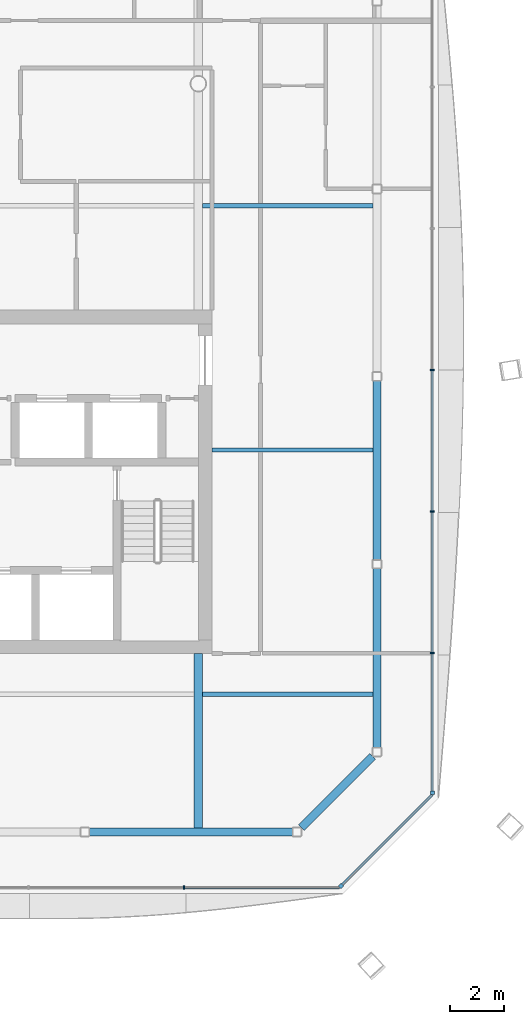
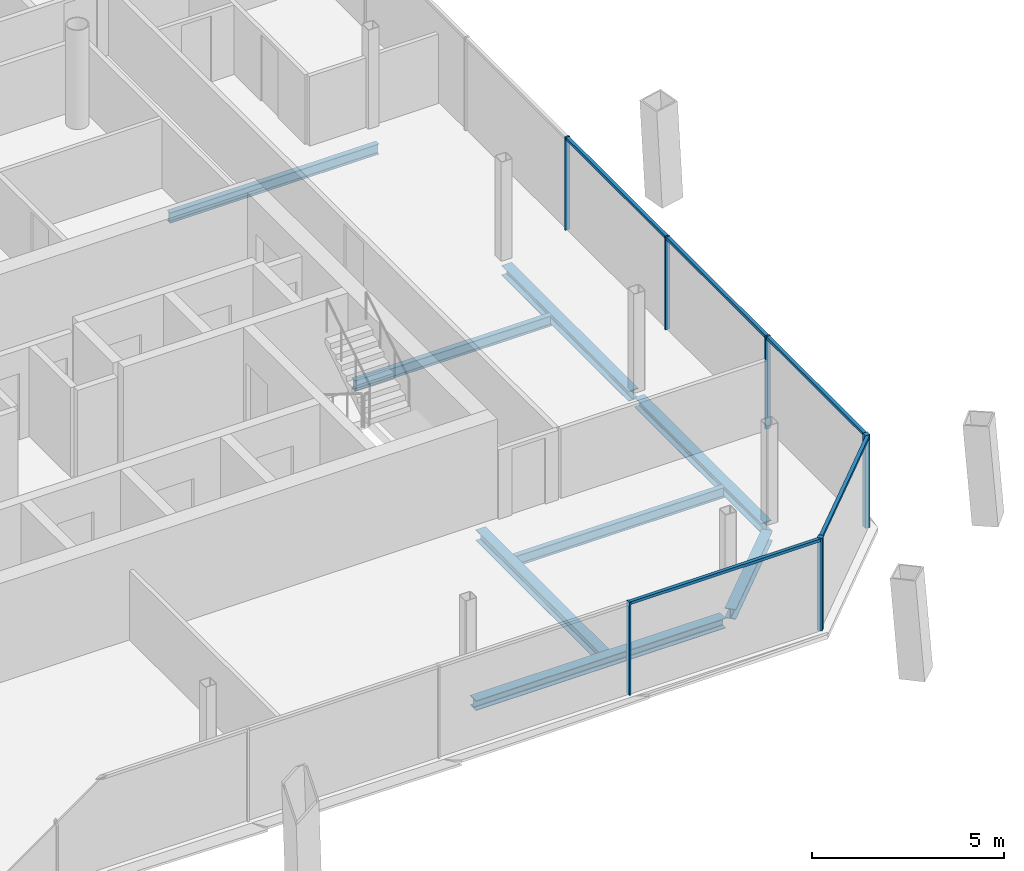
# One storey, part 8 of 20: 11 members, 8 beams, 3 elements without a shape of their own.
"""IFC4 building model written with IfcOpenShell, lengths in metres."""

from ifc_helpers import new_model, si_unit, direction, frame, origin, origin_2d, place, context, subcontext, project, spatial, rectangle, i_section, extrude, material, material_profile, profile_set, type_object, element, aggregate, save


model = new_model("IFC4")

# Units and contexts
model_context = context("Model", 3, precision=1e-05, world=origin(), true_north=direction((0.0, 1.0)))
body_context = subcontext(model_context, "Body", "Model", "MODEL_VIEW")
ifc_project = project(units=[si_unit("LENGTHUNIT", "METRE"), si_unit("AREAUNIT", "SQUARE_METRE"), si_unit("VOLUMEUNIT", "CUBIC_METRE"), si_unit("PLANEANGLEUNIT", "RADIAN"), si_unit("MASSUNIT", "GRAM", prefix="KILO")], contexts=[model_context])

# Site, building, storey
site_placement = place(None, origin())
site = spatial("IfcSite", under=ifc_project, at=site_placement, CompositionType="ELEMENT")
building_placement = place(site_placement, origin())
building = spatial("IfcBuilding", under=site, at=building_placement, Name="Tskaro Facet Tower", CompositionType="ELEMENT")
storey_placement = place(building_placement, frame((0.0, 0.0, 184.800048828125)))
storey = spatial("IfcBuildingStorey", under=building, at=storey_placement, Name="L46", CompositionType="ELEMENT", Elevation=184.800048828125)

# Curtain wall, member
ifc_material_1 = material(Name="Bronze anodised aluminium 6063-T6", Category="aluminium")
curtain_wall_type = type_object("IfcCurtainWallType", Name="Bronze residence curtain wall (FW3)", PredefinedType="NOTDEFINED", material=ifc_material_1)
curtain_wall_1_placement = place(storey_placement, origin())
curtain_wall_1 = element("IfcCurtainWall", 1, at=curtain_wall_1_placement, inside=storey, type_object=curtain_wall_type, Name="FW3 south-east facet L46", PredefinedType="NOTDEFINED")
ifc_material_profile_1 = material_profile(ifc_material_1, rectangle(XDim=0.139892578125, YDim=0.139892578125, at=origin_2d()), Name="Corner post 140x140")
ifc_profile_set_1 = profile_set([ifc_material_profile_1], Name="Bronze anodised aluminium 6063-T6")
member_type_1 = type_object("IfcMemberType", Name="FW3 bronze corner post 140x140", PredefinedType="MULLION", material=ifc_profile_set_1)
member_1_placement = place(storey_placement, frame((14.258544921875, -20.57861328125, 0.0), z_axis=(0.0, 0.0, 1.0), x_axis=(0.707106781187, 0.707106781187, 0.0)))
member_1 = element("IfcMember", 2, at=member_1_placement, type_object=member_type_1, Name="FW3 south-east corner post", PredefinedType="MULLION", context=body_context, shape_type="SweptSolid", body=[
    extrude(rectangle(XDim=0.139892578125, YDim=0.139892578125, at=origin_2d()), origin(), (0.0, 0.0, 1.0), 2.949951171875),
])

curtain_wall_2_placement = place(storey_placement, origin())
curtain_wall_2 = element("IfcCurtainWall", 3, at=curtain_wall_2_placement, inside=storey, type_object=curtain_wall_type, Name="FW3 east facet L46", PredefinedType="NOTDEFINED")
member_2_placement = place(storey_placement, frame((17.6279296875, -17.138916015625, 0.0), z_axis=(0.0, 0.0, 1.0), x_axis=(0.0, 1.0, 0.0)))
member_2 = element("IfcMember", 4, at=member_2_placement, type_object=member_type_1, Name="FW3 east corner post", PredefinedType="MULLION", context=body_context, shape_type="SweptSolid", body=[
    extrude(rectangle(XDim=0.139892578125, YDim=0.139892578125, at=origin_2d()), origin(), (0.0, 0.0, 1.0), 2.949951171875),
])

curtain_wall_3_placement = place(storey_placement, origin())
curtain_wall_3 = element("IfcCurtainWall", 5, at=curtain_wall_3_placement, inside=storey, type_object=curtain_wall_type, Name="FW3 south facet L46", PredefinedType="NOTDEFINED")
ifc_material_profile_2 = material_profile(ifc_material_1, rectangle(XDim=0.050048828125, YDim=0.139892578125, at=origin_2d()), Name="Mullion 50x140")
ifc_profile_set_2 = profile_set([ifc_material_profile_2], Name="Bronze anodised aluminium 6063-T6")
member_type_2 = type_object("IfcMemberType", Name="FW3 bronze mullion 50x140", PredefinedType="MULLION", material=ifc_profile_set_2)
member_3_placement = place(storey_placement, frame((8.47265625, -20.6279296875, 0.0), z_axis=(0.0, 0.0, 1.0), x_axis=(1.0, 0.0, 0.0)))
member_3 = element("IfcMember", 6, at=member_3_placement, type_object=member_type_2, Name="FW3 south mullion 5", PredefinedType="MULLION", context=body_context, shape_type="SweptSolid", body=[
    extrude(rectangle(XDim=0.050048828125, YDim=0.139892578125, at=origin_2d()), origin(), (0.0, 0.0, 1.0), 2.949951171875),
])

# Member
member_4_placement = place(storey_placement, frame((17.6279296875, -11.99072265625, 0.0), z_axis=(0.0, 0.0, 1.0), x_axis=(0.0, 1.0, 0.0)))
member_4 = element("IfcMember", 7, at=member_4_placement, type_object=member_type_2, Name="FW3 east mullion 1", PredefinedType="MULLION", context=body_context, shape_type="SweptSolid", body=[
    extrude(rectangle(XDim=0.050048828125, YDim=0.139892578125, at=origin_2d()), origin(), (0.0, 0.0, 1.0), 2.949951171875),
])

member_5_placement = place(storey_placement, frame((17.6279296875, -6.772705078125, 0.0), z_axis=(0.0, 0.0, 1.0), x_axis=(0.0, 1.0, 0.0)))
member_5 = element("IfcMember", 8, at=member_5_placement, type_object=member_type_2, Name="FW3 east mullion 2", PredefinedType="MULLION", context=body_context, shape_type="SweptSolid", body=[
    extrude(rectangle(XDim=0.050048828125, YDim=0.139892578125, at=origin_2d()), origin(), (0.0, 0.0, 1.0), 2.949951171875),
])

member_6_placement = place(storey_placement, frame((17.6279296875, -1.554443359375, 0.0), z_axis=(0.0, 0.0, 1.0), x_axis=(0.0, 1.0, 0.0)))
member_6 = element("IfcMember", 9, at=member_6_placement, type_object=member_type_2, Name="FW3 east mullion 3", PredefinedType="MULLION", context=body_context, shape_type="SweptSolid", body=[
    extrude(rectangle(XDim=0.050048828125, YDim=0.139892578125, at=origin_2d()), origin(), (0.0, 0.0, 1.0), 2.949951171875),
])

ifc_material_profile_3 = material_profile(ifc_material_1, rectangle(XDim=0.10009765625, YDim=0.090087890625, at=origin_2d()), Name="Transom 100x90")
ifc_profile_set_3 = profile_set([ifc_material_profile_3], Name="Bronze anodised aluminium 6063-T6")
member_type_3 = type_object("IfcMemberType", Name="FW3 bronze transom 100x90", PredefinedType="USERDEFINED", material=ifc_profile_set_3)
member_7_placement = place(storey_placement, frame((8.49755859375, -20.6279296875, 2.905029296875), z_axis=(1.0, 0.0, 0.0), x_axis=(0.0, 1.0, 0.0)))
member_7 = element("IfcMember", 10, at=member_7_placement, type_object=member_type_3, Name="FW3 south transom 6.1", ObjectType="TRANSOM", PredefinedType="USERDEFINED", context=body_context, shape_type="SweptSolid", body=[
    extrude(rectangle(XDim=0.10009765625, YDim=0.090087890625, at=origin_2d()), origin(), (0.0, 0.0, 1.0), 5.71142578125),
])

aggregate(curtain_wall_3, [member_3, member_7])

member_8_placement = place(storey_placement, frame((14.30810546875, -20.529052734375, 2.905029296875), z_axis=(0.707080781268, 0.707132780149, 0.0), x_axis=(-0.707132780149, 0.707080781268, 0.0)))
member_8 = element("IfcMember", 11, at=member_8_placement, type_object=member_type_3, Name="FW3 south-east transom 1.1", ObjectType="TRANSOM", PredefinedType="USERDEFINED", context=body_context, shape_type="SweptSolid", body=[
    extrude(rectangle(XDim=0.10009765625, YDim=0.090087890625, at=origin_2d()), origin(), (0.0, 0.0, 1.0), 4.695068359375),
])

aggregate(curtain_wall_1, [member_1, member_8])

member_9_placement = place(storey_placement, frame((17.6279296875, -17.069091796875, 2.905029296875), z_axis=(0.0, 1.0, 0.0), x_axis=(-1.0, 0.0, 0.0)))
member_9 = element("IfcMember", 12, at=member_9_placement, type_object=member_type_3, Name="FW3 east transom 1.1", ObjectType="TRANSOM", PredefinedType="USERDEFINED", context=body_context, shape_type="SweptSolid", body=[
    extrude(rectangle(XDim=0.10009765625, YDim=0.090087890625, at=origin_2d()), origin(), (0.0, 0.0, 1.0), 5.05322265625),
])

member_10_placement = place(storey_placement, frame((17.6279296875, -11.9658203125, 2.905029296875), z_axis=(0.0, 1.0, 0.0), x_axis=(-1.0, 0.0, 0.0)))
member_10 = element("IfcMember", 13, at=member_10_placement, type_object=member_type_3, Name="FW3 east transom 2.1", ObjectType="TRANSOM", PredefinedType="USERDEFINED", context=body_context, shape_type="SweptSolid", body=[
    extrude(rectangle(XDim=0.10009765625, YDim=0.090087890625, at=origin_2d()), origin(), (0.0, 0.0, 1.0), 5.168212890625),
])

member_11_placement = place(storey_placement, frame((17.6279296875, -6.74755859375, 2.905029296875), z_axis=(0.0, 1.0, 0.0), x_axis=(-1.0, 0.0, 0.0)))
member_11 = element("IfcMember", 14, at=member_11_placement, type_object=member_type_3, Name="FW3 east transom 3.1", ObjectType="TRANSOM", PredefinedType="USERDEFINED", context=body_context, shape_type="SweptSolid", body=[
    extrude(rectangle(XDim=0.10009765625, YDim=0.090087890625, at=origin_2d()), origin(), (0.0, 0.0, 1.0), 5.16796875),
])

aggregate(curtain_wall_2, [member_2, member_4, member_5, member_6, member_9, member_10, member_11])

# Beams
ifc_material_2 = material(Name="Steel S355J2", Category="steel")
ifc_material_profile_4 = material_profile(ifc_material_2, i_section(OverallWidth=0.300048828125, OverallDepth=0.320068359375, WebThickness=0.011474609375, FlangeThickness=0.0205078125, FilletRadius=0.027099609375, at=origin_2d()), Name="HE 320 B")
ifc_profile_set_4 = profile_set([ifc_material_profile_4], Name="Steel S355J2")
beam_type_1 = type_object("IfcBeamType", Name="HE 320 B ring beam", PredefinedType="BEAM", material=ifc_profile_set_4)
beam_1_placement = place(storey_placement, frame((4.971923828125, -18.5830078125, -0.300048828125), z_axis=(1.0, 0.0, 0.0), x_axis=(0.0, 1.0, 0.0)))
element("IfcBeam", 15, at=beam_1_placement, inside=storey, type_object=beam_type_1, Name="HE 320 B EB4-4", PredefinedType="BEAM", context=body_context, shape_type="SweptSolid", body=[
    extrude(i_section(OverallWidth=0.300048828125, OverallDepth=0.320068359375, WebThickness=0.011474609375, FlangeThickness=0.0205078125, FilletRadius=0.027099609375, at=origin_2d()), origin(), (0.0, 0.0, 1.0), 7.506103515625),
])
beam_2_placement = place(storey_placement, frame((12.7939453125, -18.422119140625, -0.300048828125), z_axis=(0.707106781187, 0.707106781187, 0.0), x_axis=(-0.707106781187, 0.707106781187, 0.0)))
element("IfcBeam", 16, at=beam_2_placement, inside=storey, type_object=beam_type_1, Name="HE 320 B EB5-4", PredefinedType="BEAM", context=body_context, shape_type="SweptSolid", body=[
    extrude(i_section(OverallWidth=0.300048828125, OverallDepth=0.320068359375, WebThickness=0.011474609375, FlangeThickness=0.0205078125, FilletRadius=0.027099609375, at=origin_2d()), origin(), (0.0, 0.0, 1.0), 3.716796875),
])
for number, where, z_axis, x_axis, name in (
    (17, (15.5830078125, -15.47802734375, -0.300048828125), (0.0, 1.0, 0.0), (-1.0, 0.0, 0.0), "HE 320 B EB6-4"),
    (18, (15.5830078125, -8.55810546875, -0.300048828125), (0.0, 1.0, 0.0), (-1.0, 0.0, 0.0), "HE 320 B EB7-4"),
):
    element("IfcBeam", number, at=place(storey_placement, frame(where, z_axis=z_axis, x_axis=x_axis)), inside=storey, type_object=beam_type_1, Name=name, PredefinedType="BEAM", context=body_context, shape_type="SweptSolid", body=[
        extrude(i_section(OverallWidth=0.300048828125, OverallDepth=0.320068359375, WebThickness=0.011474609375, FlangeThickness=0.0205078125, FilletRadius=0.027099609375, at=origin_2d()), origin(), (0.0, 0.0, 1.0), 6.610107421875),
    ])
ifc_material_profile_5 = material_profile(ifc_material_2, i_section(OverallWidth=0.300048828125, OverallDepth=0.35009765625, WebThickness=0.010009765625, FlangeThickness=0.017578125, FilletRadius=0.027099609375, at=origin_2d()), Name="HE 360 A")
ifc_profile_set_5 = profile_set([ifc_material_profile_5], Name="Steel S355J2")
beam_type_2 = type_object("IfcBeamType", Name="HE 360 A girder", PredefinedType="BEAM", material=ifc_profile_set_5)
beam_3_placement = place(storey_placement, frame((9.0, -18.43310546875, -0.31494140625), z_axis=(0.0, 1.0, 0.0), x_axis=(-1.0, 0.0, 0.0)))
element("IfcBeam", 19, at=beam_3_placement, inside=storey, type_object=beam_type_2, Name="HE 360 A GB5-1-4", PredefinedType="BEAM", context=body_context, shape_type="SweptSolid", body=[
    extrude(i_section(OverallWidth=0.300048828125, OverallDepth=0.35009765625, WebThickness=0.010009765625, FlangeThickness=0.017578125, FilletRadius=0.027099609375, at=origin_2d()), origin(), (0.0, 0.0, 1.0), 6.43310546875),
])
ifc_material_profile_6 = material_profile(ifc_material_2, i_section(OverallWidth=0.159912109375, OverallDepth=0.330078125, WebThickness=0.007568359375, FlangeThickness=0.011474609375, FilletRadius=0.01806640625, at=origin_2d()), Name="IPE 330")
ifc_profile_set_6 = profile_set([ifc_material_profile_6], Name="Steel S355J2")
beam_type_3 = type_object("IfcBeamType", Name="IPE 330 secondary beam", PredefinedType="BEAM", material=ifc_profile_set_6)
beam_4_placement = place(storey_placement, frame((9.14990234375, -13.5, -0.304931640625), z_axis=(1.0, 0.0, 0.0), x_axis=(0.0, 1.0, 0.0)))
element("IfcBeam", 20, at=beam_4_placement, inside=storey, type_object=beam_type_3, Name="IPE 330 SB2a-5-4", PredefinedType="BEAM", context=body_context, shape_type="SweptSolid", body=[
    extrude(i_section(OverallWidth=0.159912109375, OverallDepth=0.330078125, WebThickness=0.007568359375, FlangeThickness=0.011474609375, FilletRadius=0.01806640625, at=origin_2d()), origin(), (0.0, 0.0, 1.0), 6.283203125),
])
beam_5_placement = place(storey_placement, frame((9.5, -4.5, -0.304931640625), z_axis=(1.0, 0.0, 0.0), x_axis=(0.0, 1.0, 0.0)))
element("IfcBeam", 21, at=beam_5_placement, inside=storey, type_object=beam_type_3, Name="IPE 330 SB3a-3-4", PredefinedType="BEAM", context=body_context, shape_type="SweptSolid", body=[
    extrude(i_section(OverallWidth=0.159912109375, OverallDepth=0.330078125, WebThickness=0.007568359375, FlangeThickness=0.011474609375, FilletRadius=0.01806640625, at=origin_2d()), origin(), (0.0, 0.0, 1.0), 5.93310546875),
])
beam_6_placement = place(storey_placement, frame((9.14990234375, 4.5, -0.304931640625), z_axis=(1.0, 0.0, 0.0), x_axis=(0.0, 1.0, 0.0)))
element("IfcBeam", 22, at=beam_6_placement, inside=storey, type_object=beam_type_3, Name="IPE 330 SB4a-5-4", PredefinedType="BEAM", context=body_context, shape_type="SweptSolid", body=[
    extrude(i_section(OverallWidth=0.159912109375, OverallDepth=0.330078125, WebThickness=0.007568359375, FlangeThickness=0.011474609375, FilletRadius=0.01806640625, at=origin_2d()), origin(), (0.0, 0.0, 1.0), 6.283203125),
])

save(model, "model.ifc")
